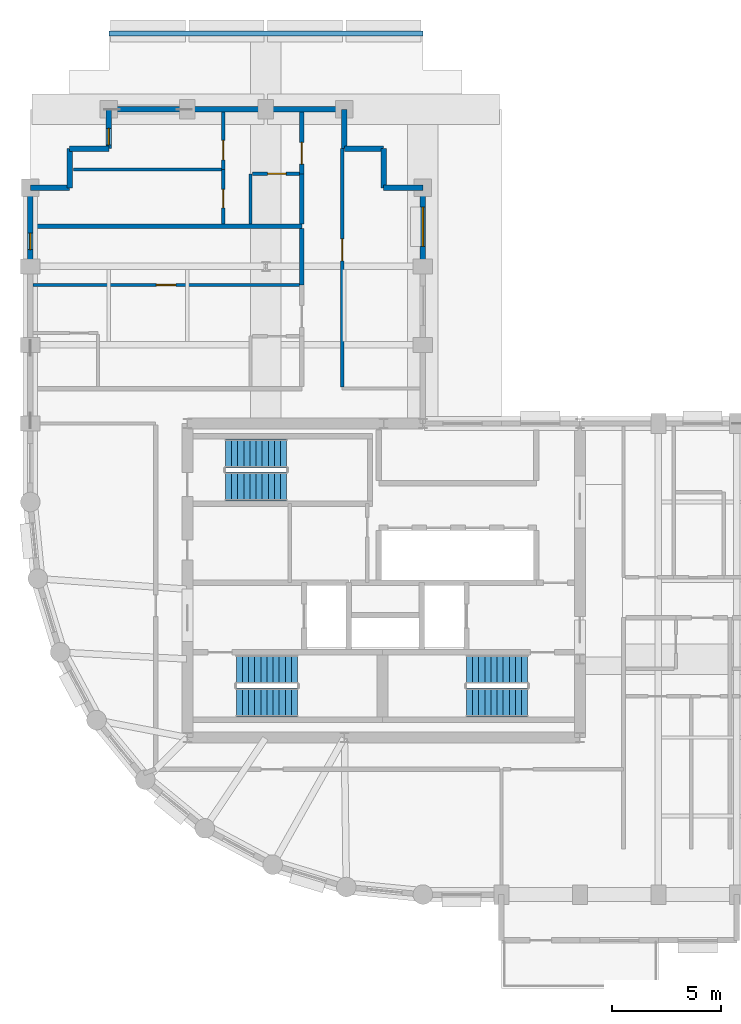
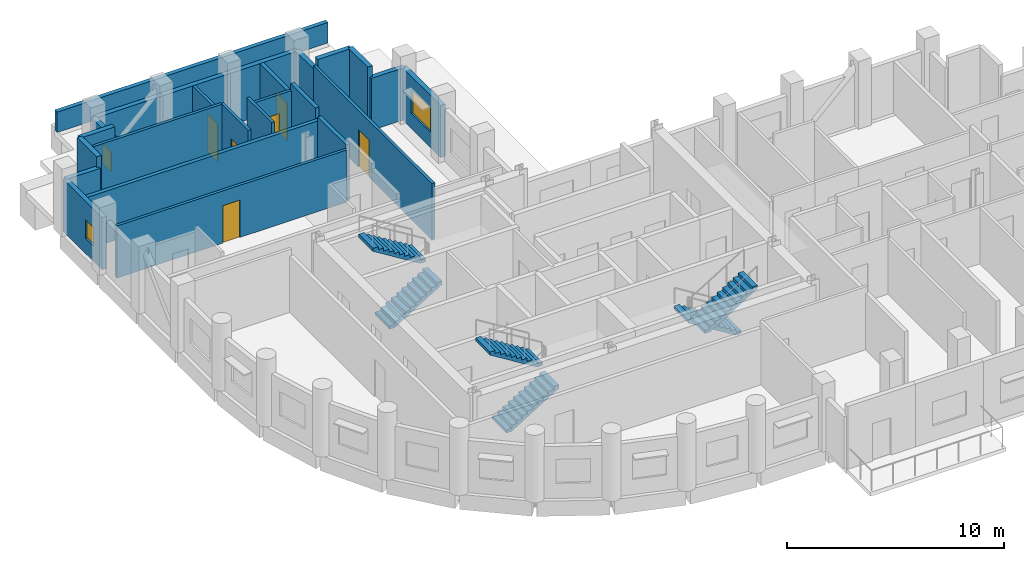
# One storey, part 7 of 10: 25 walls, 6 doors, 6 stair flights, 3 windows, 9 openings, 3 elements without a shape of their own.
"""IFC4 building model written with IfcOpenShell, lengths in metres."""

from ifc_helpers import new_model, si_unit, direction, frame, frame_2d, origin, place, context, subcontext, project, spatial, polyline, rectangle, outline, extrude, material, layer, layer_set, type_object, element, fill, aggregate, save


model = new_model("IFC4")

# Units and contexts
model_context = context("Model", 3, precision=1e-05, world=origin(), true_north=direction((0.0, 1.0)))
body_context = subcontext(model_context, "Body", "Model", "MODEL_VIEW")
ifc_project = project(units=[si_unit("LENGTHUNIT", "METRE"), si_unit("AREAUNIT", "SQUARE_METRE"), si_unit("VOLUMEUNIT", "CUBIC_METRE"), si_unit("PLANEANGLEUNIT", "RADIAN"), si_unit("MASSUNIT", "GRAM", prefix="KILO")], contexts=[model_context])

# Site, building, storey
site_placement = place(None, origin())
site = spatial("IfcSite", under=ifc_project, at=site_placement, CompositionType="ELEMENT")
building_placement = place(site_placement, origin())
building = spatial("IfcBuilding", under=site, at=building_placement, Name="Solnavia Interchange Tower", CompositionType="ELEMENT")
storey_placement = place(building_placement, frame((0.0, 0.0, 174.800048828125)))
storey = spatial("IfcBuildingStorey", under=building, at=storey_placement, Name="L43", CompositionType="ELEMENT", Elevation=174.800048828125)

# Walls
ifc_material_1 = material(Name="Gypsum Acoustic Twin-Stud & Mineral Wool", Category="gypsum")
ifc_layer_1 = layer(ifc_material_1, 0.199951171875)
ifc_layer_set_1 = layer_set([ifc_layer_1], Name="Gypsum Acoustic Twin-Stud & Mineral Wool")
wall_type_1 = type_object("IfcWallType", Name="Wall-ApartmentParty-200", PredefinedType="PARTITIONING", material=ifc_layer_set_1)
wall_1_placement = place(storey_placement, frame((7.3291015625, 34.25, 0.0), z_axis=(0.0, 0.0, 1.0), x_axis=(1.0, 0.0, 0.0)))
element("IfcWall", 1, at=wall_1_placement, inside=storey, type_object=wall_type_1, Name="PTW-L43-40 Interior partition wall", PredefinedType="PARTITIONING", context=body_context, shape_type="SweptSolid", body=[
    extrude(rectangle(XDim=12.32080078125, YDim=0.199951171875, at=frame_2d((6.160400390625, 0.0))), origin(), (0.0, 0.0, 1.0), 2.929931640625),
])
wall_2_placement = place(storey_placement, frame((19.64990234375, 31.550048828125, 0.0), z_axis=(0.0, 0.0, 1.0), x_axis=(0.0, 1.0, 0.0)))
element("IfcWall", 2, at=wall_2_placement, inside=storey, type_object=wall_type_1, Name="PTW-L43-45 Interior partition wall", PredefinedType="PARTITIONING", context=body_context, shape_type="SweptSolid", body=[
    extrude(rectangle(XDim=2.595947265625, YDim=0.199951171875, at=frame_2d((1.2978515625, 0.0))), origin(), (0.0, 0.0, 1.0), 3.169921875),
])
wall_3_placement = place(storey_placement, frame((19.64990234375, 34.35400390625, 0.0), z_axis=(0.0, 0.0, 1.0), x_axis=(0.0, 1.0, 0.0)))
element("IfcWall", 3, at=wall_3_placement, inside=storey, type_object=wall_type_1, Name="PTW-L43-49 Interior partition wall", PredefinedType="PARTITIONING", context=body_context, shape_type="SweptSolid", body=[
    extrude(rectangle(XDim=2.2958984375, YDim=0.199951171875, at=frame_2d((1.14794921875, 0.0))), origin(), (0.0, 0.0, 1.0), 3.534912109375),
])

# Wall, opening, door
wall_4_placement = place(storey_placement, frame((19.64990234375, 36.64990234375, 0.0), z_axis=(0.0, 0.0, 1.0), x_axis=(0.0, 1.0, 0.0)))
wall_4 = element("IfcWall", 4, at=wall_4_placement, inside=storey, type_object=wall_type_1, Name="PTW-L43-52 Interior partition wall", PredefinedType="PARTITIONING", context=body_context, shape_type="SweptSolid", body=[
    extrude(rectangle(XDim=2.821044921875, YDim=0.199951171875, at=frame_2d((1.41064453125, 0.0))), origin(), (0.0, 0.0, 1.0), 2.929931640625),
])
opening_1_placement = place(wall_4_placement, frame((0.43701171875, 0.0, 0.0)))
opening_1 = element("IfcOpeningElement", 5, at=opening_1_placement, cuts=wall_4, Name="Opening DR-06", PredefinedType="OPENING", context=body_context, shape_type="SweptSolid", body=[
    extrude(rectangle(XDim=1.0, YDim=2.10009765625, at=frame_2d((0.5, 1.050048828125))), frame((0.0, 0.10986328125, 0.0), z_axis=(0.0, -1.0, 0.0), x_axis=(1.0, 0.0, 0.0)), (0.0, 0.0, 1.0), 0.219970703125),
])
ifc_material_2 = material(Name="Engineered Timber Acoustic Fire Door", Category="wood")
door_type_1 = type_object("IfcDoorType", Name="Door-FlatEntry-1000x2100", OperationType="SINGLE_SWING_LEFT", PredefinedType="DOOR", material=ifc_material_2)
door_1_placement = place(opening_1_placement, origin())
door_1 = element("IfcDoor", 6, at=door_1_placement, inside=storey, type_object=door_type_1, Name="DR-L43-24 Interior room door", OperationType="SINGLE_SWING_RIGHT", OverallHeight=2.10009765625, OverallWidth=1.0, PredefinedType="DOOR", context=body_context, shape_type="SweptSolid", body=[
    extrude(rectangle(XDim=1.0, YDim=2.10009765625, at=frame_2d((0.5, 1.050048828125))), frame((0.0, 0.02490234375, 0.0), z_axis=(0.0, -1.0, 0.0), x_axis=(1.0, 0.0, 0.0)), (0.0, 0.0, 1.0), 0.050048828125),
])
fill(opening_1, door_1)

# Wall, opening, window
ifc_material_3 = material(Name="Concrete C40/50", Category="concrete")
ifc_layer_2 = layer(ifc_material_3, 0.25)
ifc_layer_set_2 = layer_set([ifc_layer_2], Name="Concrete C40/50")
wall_type_2 = type_object("IfcWallType", Name="Wall-ExtSpandrel-250", PredefinedType="STANDARD", material=ifc_layer_set_2)
wall_5_placement = place(storey_placement, frame((25.199951171875, 32.39990234375, 0.0), z_axis=(0.0, 0.0, 1.0), x_axis=(0.0, 1.0, 0.0)))
wall_5 = element("IfcWall", 7, at=wall_5_placement, inside=storey, type_object=wall_type_2, Name="EXW-L43-29 Exterior precast spandrel wall", PredefinedType="STANDARD", context=body_context, shape_type="SweptSolid", body=[
    extrude(rectangle(XDim=3.60009765625, YDim=0.25, at=frame_2d((1.800048828125, 0.0))), origin(), (0.0, 0.0, 1.0), 2.929931640625),
])
opening_2_placement = place(wall_5_placement, frame((0.925048828125, 0.0, 0.85009765625)))
opening_2 = element("IfcOpeningElement", 8, at=opening_2_placement, cuts=wall_5, Name="Opening WIN-02", PredefinedType="OPENING", context=body_context, shape_type="SweptSolid", body=[
    extrude(rectangle(XDim=1.800048828125, YDim=1.35009765625, at=frame_2d((0.89990234375, 0.675048828125))), frame((0.0, 0.135009765625, 0.0), z_axis=(0.0, -1.0, 0.0), x_axis=(1.0, 0.0, 0.0)), (0.0, 0.0, 1.0), 0.27001953125),
])
ifc_material_4 = material(Name="Thermal-Break Aluminium & Low-E Glass", Category="aluminium")
window_type_1 = type_object("IfcWindowType", Name="Window-Ribbon-1800x1350", PartitioningType="SINGLE_PANEL", PredefinedType="WINDOW", material=ifc_material_4)
window_1_placement = place(opening_2_placement, origin())
window_1 = element("IfcWindow", 9, at=window_1_placement, inside=storey, type_object=window_type_1, Name="WIN-L43-29 Facade ribbon window", OverallHeight=1.35009765625, OverallWidth=1.800048828125, PartitioningType="SINGLE_PANEL", PredefinedType="WINDOW", context=body_context, shape_type="SweptSolid", body=[
    extrude(rectangle(XDim=1.800048828125, YDim=1.35009765625, at=frame_2d((0.89990234375, 0.675048828125))), frame((0.0, 0.030029296875, 0.0), z_axis=(0.0, -1.0, 0.0), x_axis=(1.0, 0.0, 0.0)), (0.0, 0.0, 1.0), 0.06005859375),
])
fill(opening_2, window_1)

# Walls
wall_6_placement = place(storey_placement, frame((23.39990234375, 36.0, 0.0), z_axis=(0.0, 0.0, 1.0), x_axis=(1.0, 0.0, 0.0)))
element("IfcWall", 10, at=wall_6_placement, inside=storey, type_object=wall_type_2, Name="EXW-L43-30 Exterior precast spandrel wall", PredefinedType="STANDARD", context=body_context, shape_type="SweptSolid", body=[
    extrude(rectangle(XDim=1.800048828125, YDim=0.25, at=frame_2d((0.89990234375, 0.0))), origin(), (0.0, 0.0, 1.0), 2.929931640625),
])
wall_7_placement = place(storey_placement, frame((23.39990234375, 36.0, 0.0), z_axis=(0.0, 0.0, 1.0), x_axis=(0.0, 1.0, 0.0)))
element("IfcWall", 11, at=wall_7_placement, inside=storey, type_object=wall_type_2, Name="EXW-L43-31 Exterior precast spandrel wall", PredefinedType="STANDARD", context=body_context, shape_type="SweptSolid", body=[
    extrude(rectangle(XDim=1.800048828125, YDim=0.25, at=frame_2d((0.89990234375, 0.0))), origin(), (0.0, 0.0, 1.0), 3.534912109375),
])
wall_8_placement = place(storey_placement, frame((21.60009765625, 37.800048828125, 0.0), z_axis=(0.0, 0.0, 1.0), x_axis=(1.0, 0.0, 0.0)))
element("IfcWall", 12, at=wall_8_placement, inside=storey, type_object=wall_type_2, Name="EXW-L43-32 Exterior precast spandrel wall", PredefinedType="STANDARD", context=body_context, shape_type="SweptSolid", body=[
    extrude(rectangle(XDim=1.7998046875, YDim=0.25, at=frame_2d((0.89990234375, 0.0))), origin(), (0.0, 0.0, 1.0), 3.534912109375),
])
wall_9_placement = place(storey_placement, frame((21.60009765625, 37.800048828125, 0.0), z_axis=(0.0, 0.0, 1.0), x_axis=(0.0, 1.0, 0.0)))
element("IfcWall", 13, at=wall_9_placement, inside=storey, type_object=wall_type_2, Name="EXW-L43-33 Exterior precast spandrel wall", PredefinedType="STANDARD", context=body_context, shape_type="SweptSolid", body=[
    extrude(rectangle(XDim=1.800048828125, YDim=0.25, at=frame_2d((0.89990234375, 0.0))), origin(), (0.0, 0.0, 1.0), 2.929931640625),
])
for number, where, z_axis, x_axis, name in (
    (14, (18.0, 39.60009765625, 0.0), (0.0, 0.0, 1.0), (1.0, 0.0, 0.0), "EXW-L43-34 Exterior precast spandrel wall"),
    (15, (14.39990234375, 39.60009765625, 0.0), (0.0, 0.0, 1.0), (1.0, 0.0, 0.0), "EXW-L43-35 Exterior precast spandrel wall"),
):
    element("IfcWall", number, at=place(storey_placement, frame(where, z_axis=z_axis, x_axis=x_axis)), inside=storey, type_object=wall_type_2, Name=name, PredefinedType="STANDARD", context=body_context, shape_type="SweptSolid", body=[
        extrude(rectangle(XDim=3.60009765625, YDim=0.25, at=frame_2d((1.800048828125, 0.0))), origin(), (0.0, 0.0, 1.0), 2.929931640625),
    ])
wall_10_placement = place(storey_placement, frame((10.800048828125, 39.60009765625, 0.0), z_axis=(0.0, 0.0, 1.0), x_axis=(1.0, 0.0, 0.0)))
element("IfcWall", 16, at=wall_10_placement, inside=storey, type_object=wall_type_2, Name="EXW-L43-36 Exterior precast spandrel wall", PredefinedType="STANDARD", context=body_context, shape_type="SweptSolid", body=[
    extrude(rectangle(XDim=3.599853515625, YDim=0.25, at=frame_2d((1.7998046875, 0.0))), origin(), (0.0, 0.0, 1.0), 2.929931640625),
])

# Wall, opening, window
wall_11_placement = place(storey_placement, frame((10.800048828125, 37.800048828125, 0.0), z_axis=(0.0, 0.0, 1.0), x_axis=(0.0, 1.0, 0.0)))
wall_11 = element("IfcWall", 17, at=wall_11_placement, inside=storey, type_object=wall_type_2, Name="EXW-L43-37 Exterior precast spandrel wall", PredefinedType="STANDARD", context=body_context, shape_type="SweptSolid", body=[
    extrude(rectangle(XDim=1.800048828125, YDim=0.25, at=frame_2d((0.89990234375, 0.0))), origin(), (0.0, 0.0, 1.0), 2.929931640625),
])
opening_3_placement = place(wall_11_placement, frame((0.179931640625, 0.0, 0.85009765625)))
opening_3 = element("IfcOpeningElement", 18, at=opening_3_placement, cuts=wall_11, Name="Opening WIN-08", PredefinedType="OPENING", context=body_context, shape_type="SweptSolid", body=[
    extrude(rectangle(XDim=0.75, YDim=1.050048828125, at=frame_2d((0.375, 0.52490234375))), frame((0.0, 0.135009765625, 0.0), z_axis=(0.0, -1.0, 0.0), x_axis=(1.0, 0.0, 0.0)), (0.0, 0.0, 1.0), 0.27001953125),
])
window_type_2 = type_object("IfcWindowType", Name="Window-Bedroom-750x1050", PartitioningType="SINGLE_PANEL", PredefinedType="WINDOW", material=ifc_material_4)
window_2_placement = place(opening_3_placement, origin())
window_2 = element("IfcWindow", 19, at=window_2_placement, inside=storey, type_object=window_type_2, Name="WIN-L43-DW03 Dwelling bedroom window", OverallHeight=1.050048828125, OverallWidth=0.75, PartitioningType="SINGLE_PANEL", PredefinedType="WINDOW", context=body_context, shape_type="SweptSolid", body=[
    extrude(rectangle(XDim=0.75, YDim=1.050048828125, at=frame_2d((0.375, 0.52490234375))), frame((0.0, 0.030029296875, 0.0), z_axis=(0.0, -1.0, 0.0), x_axis=(1.0, 0.0, 0.0)), (0.0, 0.0, 1.0), 0.06005859375),
])
fill(opening_3, window_2)

# Walls
for number, where, z_axis, x_axis, name in (
    (20, (9.0, 37.800048828125, 0.0), (0.0, 0.0, 1.0), (1.0, 0.0, 0.0), "EXW-L43-38 Exterior precast spandrel wall"),
    (21, (9.0, 36.0, 0.0), (0.0, 0.0, 1.0), (0.0, 1.0, 0.0), "EXW-L43-39 Exterior precast spandrel wall"),
):
    element("IfcWall", number, at=place(storey_placement, frame(where, z_axis=z_axis, x_axis=x_axis)), inside=storey, type_object=wall_type_2, Name=name, PredefinedType="STANDARD", context=body_context, shape_type="SweptSolid", body=[
        extrude(rectangle(XDim=1.800048828125, YDim=0.25, at=frame_2d((0.89990234375, 0.0))), origin(), (0.0, 0.0, 1.0), 3.534912109375),
    ])
wall_12_placement = place(storey_placement, frame((7.199951171875, 36.0, 0.0), z_axis=(0.0, 0.0, 1.0), x_axis=(1.0, 0.0, 0.0)))
element("IfcWall", 22, at=wall_12_placement, inside=storey, type_object=wall_type_2, Name="EXW-L43-40 Exterior precast spandrel wall", PredefinedType="STANDARD", context=body_context, shape_type="SweptSolid", body=[
    extrude(rectangle(XDim=1.800048828125, YDim=0.25, at=frame_2d((0.89990234375, 0.0))), origin(), (0.0, 0.0, 1.0), 2.929931640625),
])

# Wall, opening, window
wall_13_placement = place(storey_placement, frame((7.199951171875, 32.39990234375, 0.0), z_axis=(0.0, 0.0, 1.0), x_axis=(0.0, 1.0, 0.0)))
wall_13 = element("IfcWall", 23, at=wall_13_placement, inside=storey, type_object=wall_type_2, Name="EXW-L43-41 Exterior precast spandrel wall", PredefinedType="STANDARD", context=body_context, shape_type="SweptSolid", body=[
    extrude(rectangle(XDim=3.60009765625, YDim=0.25, at=frame_2d((1.800048828125, 0.0))), origin(), (0.0, 0.0, 1.0), 2.929931640625),
])
opening_4_placement = place(wall_13_placement, frame((0.77294921875, 0.0, 0.85009765625)))
opening_4 = element("IfcOpeningElement", 24, at=opening_4_placement, cuts=wall_13, Name="Opening WIN-08", PredefinedType="OPENING", context=body_context, shape_type="SweptSolid", body=[
    extrude(rectangle(XDim=0.75, YDim=1.050048828125, at=frame_2d((0.375, 0.52490234375))), frame((0.0, 0.135009765625, 0.0), z_axis=(0.0, -1.0, 0.0), x_axis=(1.0, 0.0, 0.0)), (0.0, 0.0, 1.0), 0.27001953125),
])
window_3_placement = place(opening_4_placement, origin())
window_3 = element("IfcWindow", 25, at=window_3_placement, inside=storey, type_object=window_type_2, Name="WIN-L43-DW02 Dwelling bedroom window", OverallHeight=1.050048828125, OverallWidth=0.75, PartitioningType="SINGLE_PANEL", PredefinedType="WINDOW", context=body_context, shape_type="SweptSolid", body=[
    extrude(rectangle(XDim=0.75, YDim=1.050048828125, at=frame_2d((0.375, 0.52490234375))), frame((0.0, 0.030029296875, 0.0), z_axis=(0.0, -1.0, 0.0), x_axis=(1.0, 0.0, 0.0)), (0.0, 0.0, 1.0), 0.06005859375),
])
fill(opening_4, window_3)

# Wall
ifc_layer_3 = layer(ifc_material_3, 0.219970703125)
ifc_layer_set_3 = layer_set([ifc_layer_3], Name="Concrete C40/50")
wall_type_3 = type_object("IfcWallType", Name="Wall-Parapet-220", PredefinedType="PARAPET", material=ifc_layer_set_3)
wall_14_placement = place(storey_placement, frame((10.800048828125, 43.080078125, 0.0), z_axis=(0.0, 0.0, 1.0), x_axis=(1.0, 0.0, 0.0)))
element("IfcWall", 26, at=wall_14_placement, inside=storey, type_object=wall_type_3, Name="PRP-L43-N1 North setback roof parapet", PredefinedType="PARAPET", context=body_context, shape_type="SweptSolid", body=[
    extrude(rectangle(XDim=14.39990234375, YDim=0.219970703125, at=frame_2d((7.199951171875, 0.0))), origin(), (0.0, 0.0, 1.0), 1.14990234375),
])

# Wall, opening, door
ifc_material_5 = material(Name="Gypsum Plasterboard & Steel Stud", Category="steel")
ifc_layer_4 = layer(ifc_material_5, 0.14990234375)
ifc_layer_set_4 = layer_set([ifc_layer_4], Name="Gypsum Plasterboard & Steel Stud")
wall_type_4 = type_object("IfcWallType", Name="Wall-Partition-150", PredefinedType="PARTITIONING", material=ifc_layer_set_4)
wall_15_placement = place(storey_placement, frame((7.3291015625, 31.550048828125, 0.0), z_axis=(0.0, 0.0, 1.0), x_axis=(1.0, 0.0, 0.0)))
wall_15 = element("IfcWall", 27, at=wall_15_placement, inside=storey, type_object=wall_type_4, Name="PTW-L43-46 Interior partition wall", PredefinedType="PARTITIONING", context=body_context, shape_type="SweptSolid", body=[
    extrude(rectangle(XDim=12.216796875, YDim=0.14990234375, at=frame_2d((6.1083984375, 0.0))), origin(), (0.0, 0.0, 1.0), 2.929931640625),
])
opening_5_placement = place(wall_15_placement, frame((5.64599609375, 0.0, 0.0)))
opening_5 = element("IfcOpeningElement", 28, at=opening_5_placement, cuts=wall_15, Name="Opening DR-09", PredefinedType="OPENING", context=body_context, shape_type="SweptSolid", body=[
    extrude(rectangle(XDim=0.89990234375, YDim=2.10009765625, at=frame_2d((0.449951171875, 1.050048828125))), frame((0.0, 0.0849609375, 0.0), z_axis=(0.0, -1.0, 0.0), x_axis=(1.0, 0.0, 0.0)), (0.0, 0.0, 1.0), 0.169921875),
])
ifc_material_6 = material(Name="Engineered Oak Veneer Door", Category="wood")
door_type_2 = type_object("IfcDoorType", Name="Door-Internal-900x2100", OperationType="SINGLE_SWING_LEFT", PredefinedType="DOOR", material=ifc_material_6)
door_2_placement = place(opening_5_placement, origin())
door_2 = element("IfcDoor", 29, at=door_2_placement, inside=storey, type_object=door_type_2, Name="DR-L43-21 Interior room door", OperationType="SINGLE_SWING_LEFT", OverallHeight=2.10009765625, OverallWidth=0.89990234375, PredefinedType="DOOR", context=body_context, shape_type="SweptSolid", body=[
    extrude(rectangle(XDim=0.89990234375, YDim=2.10009765625, at=frame_2d((0.449951171875, 1.050048828125))), frame((0.0, 0.02490234375, 0.0), z_axis=(0.0, -1.0, 0.0), x_axis=(1.0, 0.0, 0.0)), (0.0, 0.0, 1.0), 0.050048828125),
])
fill(opening_5, door_2)

wall_16_placement = place(storey_placement, frame((16.050048828125, 36.85009765625, 0.0), z_axis=(0.0, 0.0, 1.0), x_axis=(0.0, 1.0, 0.0)))
wall_16 = element("IfcWall", 30, at=wall_16_placement, inside=storey, type_object=wall_type_4, Name="PTW-L43-53 Interior partition wall", PredefinedType="PARTITIONING", context=body_context, shape_type="SweptSolid", body=[
    extrude(rectangle(XDim=2.620849609375, YDim=0.14990234375, at=frame_2d((1.310546875, 0.0))), origin(), (0.0, 0.0, 1.0), 2.929931640625),
])
opening_6_placement = place(wall_16_placement, frame((0.43505859375, 0.0, 0.0)))
opening_6 = element("IfcOpeningElement", 31, at=opening_6_placement, cuts=wall_16, Name="Opening DR-09", PredefinedType="OPENING", context=body_context, shape_type="SweptSolid", body=[
    extrude(rectangle(XDim=0.89990234375, YDim=2.10009765625, at=frame_2d((0.449951171875, 1.050048828125))), frame((0.0, 0.0849609375, 0.0), z_axis=(0.0, -1.0, 0.0), x_axis=(1.0, 0.0, 0.0)), (0.0, 0.0, 1.0), 0.169921875),
])
door_3_placement = place(opening_6_placement, origin())
door_3 = element("IfcDoor", 32, at=door_3_placement, inside=storey, type_object=door_type_2, Name="DR-L43-25 Interior room door", OperationType="SINGLE_SWING_LEFT", OverallHeight=2.10009765625, OverallWidth=0.89990234375, PredefinedType="DOOR", context=body_context, shape_type="SweptSolid", body=[
    extrude(rectangle(XDim=0.89990234375, YDim=2.10009765625, at=frame_2d((0.449951171875, 1.050048828125))), frame((0.0, 0.02490234375, 0.0), z_axis=(0.0, -1.0, 0.0), x_axis=(1.0, 0.0, 0.0)), (0.0, 0.0, 1.0), 0.050048828125),
])
fill(opening_6, door_3)

wall_17_placement = place(storey_placement, frame((21.5, 26.87890625, 0.0), z_axis=(0.0, 0.0, 1.0), x_axis=(0.0, 1.0, 0.0)))
wall_17 = element("IfcWall", 33, at=wall_17_placement, inside=storey, type_object=wall_type_4, Name="PTW-L43-57 Interior partition wall", PredefinedType="PARTITIONING", context=body_context, shape_type="SweptSolid", body=[
    extrude(rectangle(XDim=10.921142578125, YDim=0.14990234375, at=frame_2d((5.46044921875, 0.0))), origin(), (0.0, 0.0, 1.0), 3.169921875),
])
opening_7_placement = place(wall_17_placement, frame((5.781005859375, 0.0, 0.0)))
opening_7 = element("IfcOpeningElement", 34, at=opening_7_placement, cuts=wall_17, Name="Opening DR-07", PredefinedType="OPENING", context=body_context, shape_type="SweptSolid", body=[
    extrude(rectangle(XDim=1.0, YDim=2.10009765625, at=frame_2d((0.5, 1.050048828125))), frame((0.0, 0.0849609375, 0.0), z_axis=(0.0, -1.0, 0.0), x_axis=(1.0, 0.0, 0.0)), (0.0, 0.0, 1.0), 0.169921875),
])
ifc_material_7 = material(Name="Timber & Acoustic Glazed Office Door", Category="wood")
door_type_3 = type_object("IfcDoorType", Name="Door-Office-1000x2100", OperationType="SINGLE_SWING_RIGHT", PredefinedType="DOOR", material=ifc_material_7)
door_4_placement = place(opening_7_placement, origin())
door_4 = element("IfcDoor", 35, at=door_4_placement, inside=storey, type_object=door_type_3, Name="DR-L43-27 Interior room door", OperationType="SINGLE_SWING_LEFT", OverallHeight=2.10009765625, OverallWidth=1.0, PredefinedType="DOOR", context=body_context, shape_type="SweptSolid", body=[
    extrude(rectangle(XDim=1.0, YDim=2.10009765625, at=frame_2d((0.5, 1.050048828125))), frame((0.0, 0.02490234375, 0.0), z_axis=(0.0, -1.0, 0.0), x_axis=(1.0, 0.0, 0.0)), (0.0, 0.0, 1.0), 0.050048828125),
])
fill(opening_7, door_4)

# Wall
ifc_material_8 = material(Name="Moisture-Resistant Gypsum & Steel Stud", Category="steel")
ifc_layer_5 = layer(ifc_material_8, 0.14990234375)
ifc_layer_set_5 = layer_set([ifc_layer_5], Name="Moisture-Resistant Gypsum & Steel Stud")
wall_type_5 = type_object("IfcWallType", Name="Wall-WetRoom-150", PredefinedType="PARTITIONING", material=ifc_layer_set_5)
wall_18_placement = place(storey_placement, frame((17.300048828125, 34.35400390625, 0.0), z_axis=(0.0, 0.0, 1.0), x_axis=(0.0, 1.0, 0.0)))
element("IfcWall", 36, at=wall_18_placement, inside=storey, type_object=wall_type_5, Name="PTW-L43-50 Interior partition wall", PredefinedType="PARTITIONING", context=body_context, shape_type="SweptSolid", body=[
    extrude(rectangle(XDim=2.2958984375, YDim=0.14990234375, at=frame_2d((1.14794921875, 0.0))), origin(), (0.0, 0.0, 1.0), 3.534912109375),
])

# Wall, opening, door
wall_19_placement = place(storey_placement, frame((17.37890625, 36.64990234375, 0.0), z_axis=(0.0, 0.0, 1.0), x_axis=(1.0, 0.0, 0.0)))
wall_19 = element("IfcWall", 37, at=wall_19_placement, inside=storey, type_object=wall_type_5, Name="PTW-L43-51 Interior partition wall", PredefinedType="PARTITIONING", context=body_context, shape_type="SweptSolid", body=[
    extrude(rectangle(XDim=2.1669921875, YDim=0.14990234375, at=frame_2d((1.08349609375, 0.0))), origin(), (0.0, 0.0, 1.0), 3.169921875),
])
opening_8_placement = place(wall_19_placement, frame((0.700927734375, 0.0, 0.0)))
opening_8 = element("IfcOpeningElement", 38, at=opening_8_placement, cuts=wall_19, Name="Opening DR-10", PredefinedType="OPENING", context=body_context, shape_type="SweptSolid", body=[
    extrude(rectangle(XDim=0.85009765625, YDim=2.10009765625, at=frame_2d((0.425048828125, 1.050048828125))), frame((0.0, 0.0849609375, 0.0), z_axis=(0.0, -1.0, 0.0), x_axis=(1.0, 0.0, 0.0)), (0.0, 0.0, 1.0), 0.169921875),
])
ifc_material_9 = material(Name="Moisture-Resistant Timber Door", Category="wood")
door_type_4 = type_object("IfcDoorType", Name="Door-Bathroom-850x2100", OperationType="SINGLE_SWING_RIGHT", PredefinedType="DOOR", material=ifc_material_9)
door_5_placement = place(opening_8_placement, origin())
door_5 = element("IfcDoor", 39, at=door_5_placement, inside=storey, type_object=door_type_4, Name="DR-L43-23 Interior room door", OperationType="SINGLE_SWING_RIGHT", OverallHeight=2.10009765625, OverallWidth=0.85009765625, PredefinedType="DOOR", context=body_context, shape_type="SweptSolid", body=[
    extrude(rectangle(XDim=0.85009765625, YDim=2.10009765625, at=frame_2d((0.425048828125, 1.050048828125))), frame((0.0, 0.02490234375, 0.0), z_axis=(0.0, -1.0, 0.0), x_axis=(1.0, 0.0, 0.0)), (0.0, 0.0, 1.0), 0.050048828125),
])
fill(opening_8, door_5)

wall_20_placement = place(storey_placement, frame((16.050048828125, 34.35400390625, 0.0), z_axis=(0.0, 0.0, 1.0), x_axis=(0.0, 1.0, 0.0)))
wall_20 = element("IfcWall", 40, at=wall_20_placement, inside=storey, type_object=wall_type_5, Name="PTW-L43-54 Interior partition wall", PredefinedType="PARTITIONING", context=body_context, shape_type="SweptSolid", body=[
    extrude(rectangle(XDim=2.49609375, YDim=0.14990234375, at=frame_2d((1.248046875, 0.0))), origin(), (0.0, 0.0, 1.0), 3.534912109375),
])
opening_9_placement = place(wall_20_placement, frame((0.73095703125, 0.0, 0.0)))
opening_9 = element("IfcOpeningElement", 41, at=opening_9_placement, cuts=wall_20, Name="Opening DR-10", PredefinedType="OPENING", context=body_context, shape_type="SweptSolid", body=[
    extrude(rectangle(XDim=0.85009765625, YDim=2.10009765625, at=frame_2d((0.425048828125, 1.050048828125))), frame((0.0, 0.0849609375, 0.0), z_axis=(0.0, -1.0, 0.0), x_axis=(1.0, 0.0, 0.0)), (0.0, 0.0, 1.0), 0.169921875),
])
door_6_placement = place(opening_9_placement, origin())
door_6 = element("IfcDoor", 42, at=door_6_placement, inside=storey, type_object=door_type_4, Name="DR-L43-26 Interior room door", OperationType="SINGLE_SWING_RIGHT", OverallHeight=2.10009765625, OverallWidth=0.85009765625, PredefinedType="DOOR", context=body_context, shape_type="SweptSolid", body=[
    extrude(rectangle(XDim=0.85009765625, YDim=2.10009765625, at=frame_2d((0.425048828125, 1.050048828125))), frame((0.0, 0.02490234375, 0.0), z_axis=(0.0, -1.0, 0.0), x_axis=(1.0, 0.0, 0.0)), (0.0, 0.0, 1.0), 0.050048828125),
])
fill(opening_9, door_6)

# Wall
wall_21_placement = place(storey_placement, frame((9.179931640625, 36.85009765625, 0.0), z_axis=(0.0, 0.0, 1.0), x_axis=(1.0, 0.0, 0.0)))
element("IfcWall", 43, at=wall_21_placement, inside=storey, type_object=wall_type_5, Name="PTW-L43-55 Interior partition wall", PredefinedType="PARTITIONING", context=body_context, shape_type="SweptSolid", body=[
    extrude(rectangle(XDim=6.791015625, YDim=0.14990234375, at=frame_2d((3.3955078125, 0.0))), origin(), (0.0, 0.0, 1.0), 3.534912109375),
])

# Stair, stair flights
stair_type = type_object("IfcStairType", Name="Stair-Dogleg-RC", PredefinedType="HALF_TURN_STAIR", material=ifc_material_3)
stair_1_placement = place(storey_placement, origin())
stair_1 = element("IfcStair", 44, at=stair_1_placement, inside=storey, type_object=stair_type, Name="L43 Core exit stair 1", PredefinedType="HALF_TURN_STAIR")
stair_flight_type = type_object("IfcStairFlightType", Name="StairFlight-RC-150", PredefinedType="STRAIGHT", material=ifc_material_3)
stair_flight_1_placement = place(storey_placement, frame((16.64990234375, 12.409912109375, 0.0), z_axis=(0.0, 0.0, 1.0), x_axis=(1.0, 0.0, 0.0)))
stair_flight_1 = element("IfcStairFlight", 45, at=stair_flight_1_placement, type_object=stair_flight_type, Name="ST-1 flight 1", NumberOfRisers=11, NumberOfTreads=10, PredefinedType="STRAIGHT", RiserHeight=0.172727273, TreadLength=0.28, context=body_context, shape_type="SweptSolid", body=[
    extrude(outline(polyline([(0.0, 0.0), (0.0, 0.172607421875), (0.280029296875, 0.172607421875), (0.280029296875, 0.345458984375), (0.56005859375, 0.345458984375), (0.56005859375, 0.51806640625), (0.840087890625, 0.51806640625), (0.840087890625, 0.69091796875), (1.1201171875, 0.69091796875), (1.1201171875, 0.863525390625), (1.39990234375, 0.863525390625), (1.39990234375, 1.036376953125), (1.679931640625, 1.036376953125), (1.679931640625, 1.208984375), (1.9599609375, 1.208984375), (1.9599609375, 1.3818359375), (2.239990234375, 1.3818359375), (2.239990234375, 1.554443359375), (2.52001953125, 1.554443359375), (2.52001953125, 1.727294921875), (2.800048828125, 1.727294921875), (2.800048828125, 1.89990234375), (2.800048828125, 1.551025390625), (0.285400390625, 0.0), (0.0, 0.0)])), frame((0.0, 0.66015625, 0.0), z_axis=(0.0, -1.0, 0.0), x_axis=(1.0, 0.0, 0.0)), (0.0, 0.0, 1.0), 1.320068359375),
])
stair_flight_2_placement = place(storey_placement, frame((19.449951171875, 13.929931640625, 1.89990234375), z_axis=(0.0, 0.0, 1.0), x_axis=(-1.0, 0.0, 0.0)))
stair_flight_2 = element("IfcStairFlight", 46, at=stair_flight_2_placement, type_object=stair_flight_type, Name="ST-1 flight 2", NumberOfRisers=11, NumberOfTreads=10, PredefinedType="STRAIGHT", RiserHeight=0.172727273, TreadLength=0.28, context=body_context, shape_type="SweptSolid", body=[
    extrude(outline(polyline([(0.0, 0.0), (0.0, 0.172607421875), (0.280029296875, 0.172607421875), (0.280029296875, 0.345458984375), (0.56005859375, 0.345458984375), (0.56005859375, 0.51806640625), (0.840087890625, 0.51806640625), (0.840087890625, 0.69091796875), (1.1201171875, 0.69091796875), (1.1201171875, 0.863525390625), (1.39990234375, 0.863525390625), (1.39990234375, 1.036376953125), (1.679931640625, 1.036376953125), (1.679931640625, 1.208984375), (1.9599609375, 1.208984375), (1.9599609375, 1.3818359375), (2.239990234375, 1.3818359375), (2.239990234375, 1.554443359375), (2.52001953125, 1.554443359375), (2.52001953125, 1.727294921875), (2.800048828125, 1.727294921875), (2.800048828125, 1.89990234375), (2.800048828125, 1.551025390625), (0.285400390625, 0.0), (0.0, 0.0)])), frame((0.0, 0.66015625, 0.0), z_axis=(0.0, -1.0, 0.0), x_axis=(1.0, 0.0, 0.0)), (0.0, 0.0, 1.0), 1.320068359375),
])
aggregate(stair_1, [stair_flight_1, stair_flight_2])

stair_2_placement = place(storey_placement, origin())
stair_2 = element("IfcStair", 47, at=stair_2_placement, inside=storey, type_object=stair_type, Name="L43 Core exit stair 2", PredefinedType="HALF_TURN_STAIR")
stair_flight_3_placement = place(storey_placement, frame((30.0, 13.929931640625, 0.0), z_axis=(0.0, 0.0, 1.0), x_axis=(-1.0, 0.0, 0.0)))
stair_flight_3 = element("IfcStairFlight", 48, at=stair_flight_3_placement, type_object=stair_flight_type, Name="ST-2 flight 1", NumberOfRisers=11, NumberOfTreads=10, PredefinedType="STRAIGHT", RiserHeight=0.172727273, TreadLength=0.28, context=body_context, shape_type="SweptSolid", body=[
    extrude(outline(polyline([(0.0, 0.0), (0.0, 0.172607421875), (0.280029296875, 0.172607421875), (0.280029296875, 0.345458984375), (0.56005859375, 0.345458984375), (0.56005859375, 0.51806640625), (0.840087890625, 0.51806640625), (0.840087890625, 0.69091796875), (1.1201171875, 0.69091796875), (1.1201171875, 0.863525390625), (1.39990234375, 0.863525390625), (1.39990234375, 1.036376953125), (1.679931640625, 1.036376953125), (1.679931640625, 1.208984375), (1.9599609375, 1.208984375), (1.9599609375, 1.3818359375), (2.239990234375, 1.3818359375), (2.239990234375, 1.554443359375), (2.52001953125, 1.554443359375), (2.52001953125, 1.727294921875), (2.800048828125, 1.727294921875), (2.800048828125, 1.89990234375), (2.800048828125, 1.551025390625), (0.285400390625, 0.0), (0.0, 0.0)])), frame((0.0, 0.66015625, 0.0), z_axis=(0.0, -1.0, 0.0), x_axis=(1.0, 0.0, 0.0)), (0.0, 0.0, 1.0), 1.320068359375),
])
stair_flight_4_placement = place(storey_placement, frame((27.199951171875, 12.409912109375, 1.89990234375), z_axis=(0.0, 0.0, 1.0), x_axis=(1.0, 0.0, 0.0)))
stair_flight_4 = element("IfcStairFlight", 49, at=stair_flight_4_placement, type_object=stair_flight_type, Name="ST-2 flight 2", NumberOfRisers=11, NumberOfTreads=10, PredefinedType="STRAIGHT", RiserHeight=0.172727273, TreadLength=0.28, context=body_context, shape_type="SweptSolid", body=[
    extrude(outline(polyline([(0.0, 0.0), (0.0, 0.172607421875), (0.280029296875, 0.172607421875), (0.280029296875, 0.345458984375), (0.56005859375, 0.345458984375), (0.56005859375, 0.51806640625), (0.840087890625, 0.51806640625), (0.840087890625, 0.69091796875), (1.1201171875, 0.69091796875), (1.1201171875, 0.863525390625), (1.39990234375, 0.863525390625), (1.39990234375, 1.036376953125), (1.679931640625, 1.036376953125), (1.679931640625, 1.208984375), (1.9599609375, 1.208984375), (1.9599609375, 1.3818359375), (2.239990234375, 1.3818359375), (2.239990234375, 1.554443359375), (2.52001953125, 1.554443359375), (2.52001953125, 1.727294921875), (2.800048828125, 1.727294921875), (2.800048828125, 1.89990234375), (2.800048828125, 1.551025390625), (0.285400390625, 0.0), (0.0, 0.0)])), frame((0.0, 0.66015625, 0.0), z_axis=(0.0, -1.0, 0.0), x_axis=(1.0, 0.0, 0.0)), (0.0, 0.0, 1.0), 1.320068359375),
])
aggregate(stair_2, [stair_flight_3, stair_flight_4])

stair_3_placement = place(storey_placement, origin())
stair_3 = element("IfcStair", 50, at=stair_3_placement, inside=storey, type_object=stair_type, Name="L43 Core exit stair 3", PredefinedType="HALF_TURN_STAIR")
stair_flight_5_placement = place(storey_placement, frame((16.14990234375, 22.31005859375, 0.0), z_axis=(0.0, 0.0, 1.0), x_axis=(1.0, 0.0, 0.0)))
stair_flight_5 = element("IfcStairFlight", 51, at=stair_flight_5_placement, type_object=stair_flight_type, Name="ST-3 flight 1", NumberOfRisers=11, NumberOfTreads=10, PredefinedType="STRAIGHT", RiserHeight=0.172727273, TreadLength=0.28, context=body_context, shape_type="SweptSolid", body=[
    extrude(outline(polyline([(0.0, 0.0), (0.0, 0.172607421875), (0.280029296875, 0.172607421875), (0.280029296875, 0.345458984375), (0.56005859375, 0.345458984375), (0.56005859375, 0.51806640625), (0.840087890625, 0.51806640625), (0.840087890625, 0.69091796875), (1.1201171875, 0.69091796875), (1.1201171875, 0.863525390625), (1.39990234375, 0.863525390625), (1.39990234375, 1.036376953125), (1.679931640625, 1.036376953125), (1.679931640625, 1.208984375), (1.9599609375, 1.208984375), (1.9599609375, 1.3818359375), (2.239990234375, 1.3818359375), (2.239990234375, 1.554443359375), (2.52001953125, 1.554443359375), (2.52001953125, 1.727294921875), (2.800048828125, 1.727294921875), (2.800048828125, 1.89990234375), (2.800048828125, 1.551025390625), (0.285400390625, 0.0), (0.0, 0.0)])), frame((0.0, 0.66015625, 0.0), z_axis=(0.0, -1.0, 0.0), x_axis=(1.0, 0.0, 0.0)), (0.0, 0.0, 1.0), 1.320068359375),
])
stair_flight_6_placement = place(storey_placement, frame((18.949951171875, 23.830078125, 1.89990234375), z_axis=(0.0, 0.0, 1.0), x_axis=(-1.0, 0.0, 0.0)))
stair_flight_6 = element("IfcStairFlight", 52, at=stair_flight_6_placement, type_object=stair_flight_type, Name="ST-3 flight 2", NumberOfRisers=11, NumberOfTreads=10, PredefinedType="STRAIGHT", RiserHeight=0.172727273, TreadLength=0.28, context=body_context, shape_type="SweptSolid", body=[
    extrude(outline(polyline([(0.0, 0.0), (0.0, 0.172607421875), (0.280029296875, 0.172607421875), (0.280029296875, 0.345458984375), (0.56005859375, 0.345458984375), (0.56005859375, 0.51806640625), (0.840087890625, 0.51806640625), (0.840087890625, 0.69091796875), (1.1201171875, 0.69091796875), (1.1201171875, 0.863525390625), (1.39990234375, 0.863525390625), (1.39990234375, 1.036376953125), (1.679931640625, 1.036376953125), (1.679931640625, 1.208984375), (1.9599609375, 1.208984375), (1.9599609375, 1.3818359375), (2.239990234375, 1.3818359375), (2.239990234375, 1.554443359375), (2.52001953125, 1.554443359375), (2.52001953125, 1.727294921875), (2.800048828125, 1.727294921875), (2.800048828125, 1.89990234375), (2.800048828125, 1.551025390625), (0.285400390625, 0.0), (0.0, 0.0)])), frame((0.0, 0.66015625, 0.0), z_axis=(0.0, -1.0, 0.0), x_axis=(1.0, 0.0, 0.0)), (0.0, 0.0, 1.0), 1.320068359375),
])
aggregate(stair_3, [stair_flight_5, stair_flight_6])

save(model, "model.ifc")
